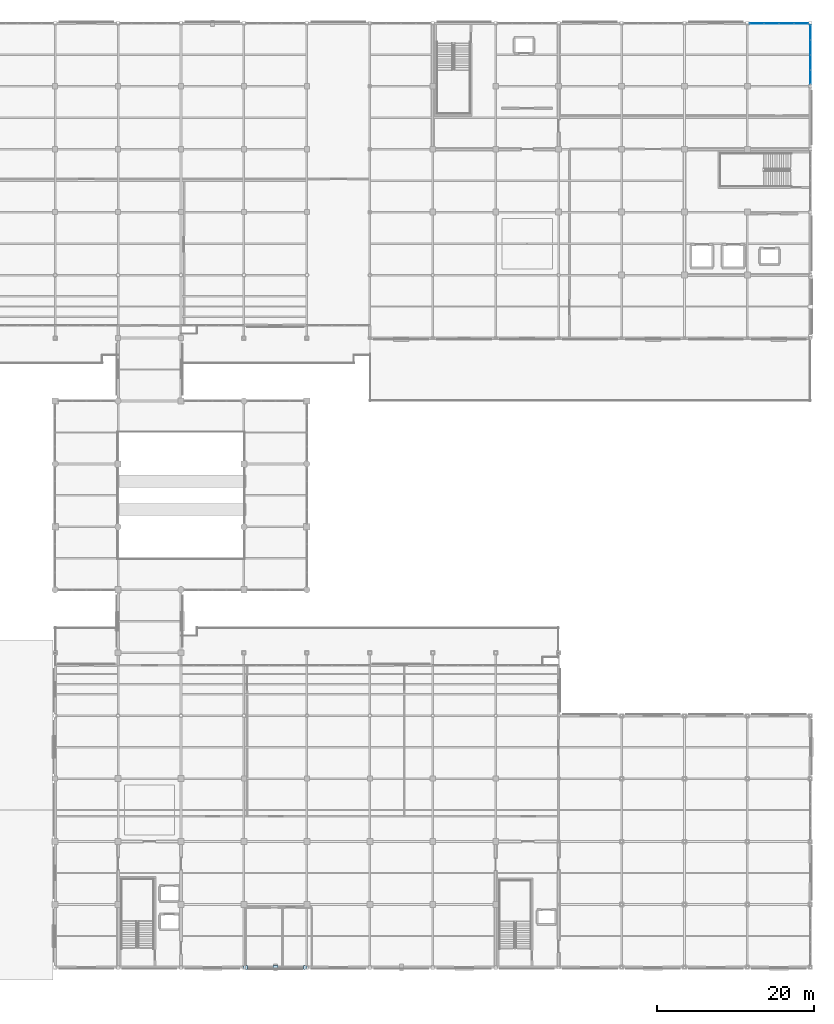
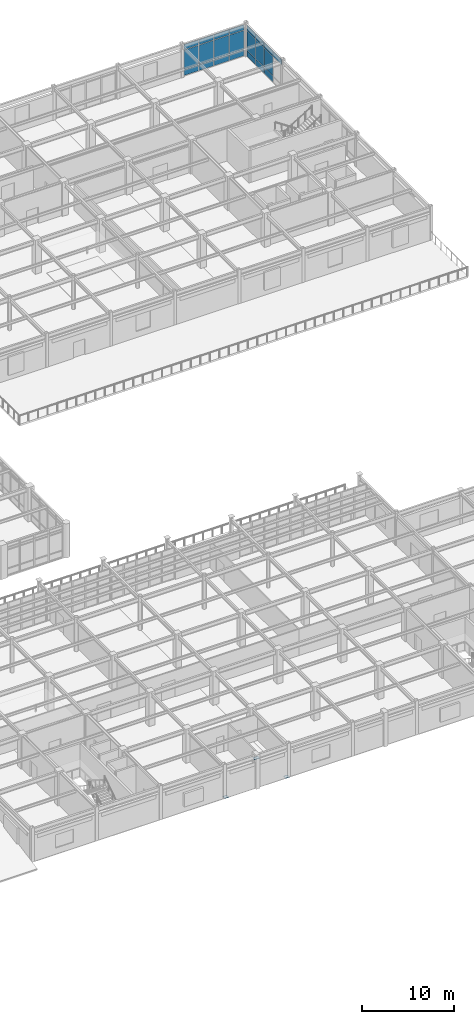
# One storey, part 81 of 111: 25 plates, 2 elements without a shape of their own.
"""IFC4 building model written with IfcOpenShell, lengths in metres."""

from ifc_helpers import new_model, si_unit, direction, frame, origin, origin_2d, place, context, subcontext, project, spatial, rectangle, extrude, material, layer, layer_set, type_object, element, aggregate, save


model = new_model("IFC4")

# Units and contexts
model_context = context("Model", 3, precision=1e-05, world=origin(), true_north=direction((0.0, 1.0)))
body_context = subcontext(model_context, "Body", "Model", "MODEL_VIEW")
ifc_project = project(units=[si_unit("LENGTHUNIT", "METRE"), si_unit("AREAUNIT", "SQUARE_METRE"), si_unit("VOLUMEUNIT", "CUBIC_METRE"), si_unit("PLANEANGLEUNIT", "RADIAN"), si_unit("MASSUNIT", "GRAM", prefix="KILO")], contexts=[model_context])

# Site, building, storey
site_placement = place(None, origin())
site = spatial("IfcSite", under=ifc_project, at=site_placement, CompositionType="ELEMENT")
building_placement = place(site_placement, origin())
building = spatial("IfcBuilding", under=site, at=building_placement, Name="Solmirada Galleria", CompositionType="ELEMENT")
storey_placement = place(building_placement, frame((0.0, 0.0, 10.39990234375)))
storey = spatial("IfcBuildingStorey", under=building, at=storey_placement, Name="L02", CompositionType="ELEMENT", Elevation=10.39990234375)

# Curtain wall, plates
ifc_material_1 = material(Name="Impact-resistant low-E double glazing", Category="glass")
curtain_wall_type = type_object("IfcCurtainWallType", Name="CW-FZ2-L02-B4-L076", PredefinedType="NOTDEFINED", material=ifc_material_1)
curtain_wall_1_placement = place(storey_placement, origin())
curtain_wall_1 = element("IfcCurtainWall", 1, at=curtain_wall_1_placement, inside=storey, type_object=curtain_wall_type, Name="Terrace and arcade storefront CW-L02-099", PredefinedType="NOTDEFINED")
ifc_layer_1 = layer(ifc_material_1, 0.0419921875)
ifc_layer_set_1 = layer_set([ifc_layer_1], Name="Impact-resistant low-E double glazing")
plate_type_1 = type_object("IfcPlateType", Name="CW-PNL-CW24-T42", PredefinedType="CURTAIN_PANEL", material=ifc_layer_set_1)
plate_1_placement = place(storey_placement, frame((169.169921875, 120.0, 0.06494140625), z_axis=(0.0, 0.0, 1.0), x_axis=(1.0, 0.0, 0.0)))
plate_1 = element("IfcPlate", 2, at=plate_1_placement, type_object=plate_type_1, Name="CW24 panel 1.1", PredefinedType="CURTAIN_PANEL", context=body_context, shape_type="SweptSolid", body=[
    extrude(rectangle(XDim=1.800048828125, YDim=0.0419921875, at=origin_2d()), origin(), (0.0, 0.0, 1.0), 0.762451171875),
])
plate_2_placement = place(storey_placement, frame((169.169921875, 120.0, 0.892578125), z_axis=(0.0, 0.0, 1.0), x_axis=(1.0, 0.0, 0.0)))
plate_2 = element("IfcPlate", 3, at=plate_2_placement, type_object=plate_type_1, Name="CW24 panel 1.2", PredefinedType="CURTAIN_PANEL", context=body_context, shape_type="SweptSolid", body=[
    extrude(rectangle(XDim=1.800048828125, YDim=0.0419921875, at=origin_2d()), origin(), (0.0, 0.0, 1.0), 2.52490234375),
])
plate_3_placement = place(storey_placement, frame((169.169921875, 120.0, 3.482421875), z_axis=(0.0, 0.0, 1.0), x_axis=(1.0, 0.0, 0.0)))
plate_3 = element("IfcPlate", 4, at=plate_3_placement, type_object=plate_type_1, Name="CW24 panel 1.3", PredefinedType="CURTAIN_PANEL", context=body_context, shape_type="SweptSolid", body=[
    extrude(rectangle(XDim=1.800048828125, YDim=0.0419921875, at=origin_2d()), origin(), (0.0, 0.0, 1.0), 0.672607421875),
])
plate_4_placement = place(storey_placement, frame((171.05126953125, 120.0, 0.06494140625), z_axis=(0.0, 0.0, 1.0), x_axis=(1.0, 0.0, 0.0)))
plate_4 = element("IfcPlate", 5, at=plate_4_placement, type_object=plate_type_1, Name="CW24 panel 2.1", PredefinedType="CURTAIN_PANEL", context=body_context, shape_type="SweptSolid", body=[
    extrude(rectangle(XDim=1.83251953125, YDim=0.0419921875, at=origin_2d()), origin(), (0.0, 0.0, 1.0), 0.762451171875),
])
plate_5_placement = place(storey_placement, frame((171.05126953125, 120.0, 0.892578125), z_axis=(0.0, 0.0, 1.0), x_axis=(1.0, 0.0, 0.0)))
plate_5 = element("IfcPlate", 6, at=plate_5_placement, type_object=plate_type_1, Name="CW24 panel 2.2", PredefinedType="CURTAIN_PANEL", context=body_context, shape_type="SweptSolid", body=[
    extrude(rectangle(XDim=1.83251953125, YDim=0.0419921875, at=origin_2d()), origin(), (0.0, 0.0, 1.0), 2.52490234375),
])
plate_6_placement = place(storey_placement, frame((171.05126953125, 120.0, 3.482421875), z_axis=(0.0, 0.0, 1.0), x_axis=(1.0, 0.0, 0.0)))
plate_6 = element("IfcPlate", 7, at=plate_6_placement, type_object=plate_type_1, Name="CW24 panel 2.3", PredefinedType="CURTAIN_PANEL", context=body_context, shape_type="SweptSolid", body=[
    extrude(rectangle(XDim=1.83251953125, YDim=0.0419921875, at=origin_2d()), origin(), (0.0, 0.0, 1.0), 0.672607421875),
])
plate_7_placement = place(storey_placement, frame((172.94873046875, 120.0, 0.06494140625), z_axis=(0.0, 0.0, 1.0), x_axis=(1.0, 0.0, 0.0)))
plate_7 = element("IfcPlate", 8, at=plate_7_placement, type_object=plate_type_1, Name="CW24 panel 3.1", PredefinedType="CURTAIN_PANEL", context=body_context, shape_type="SweptSolid", body=[
    extrude(rectangle(XDim=1.83251953125, YDim=0.0419921875, at=origin_2d()), origin(), (0.0, 0.0, 1.0), 0.762451171875),
])
plate_8_placement = place(storey_placement, frame((172.94873046875, 120.0, 0.892578125), z_axis=(0.0, 0.0, 1.0), x_axis=(1.0, 0.0, 0.0)))
plate_8 = element("IfcPlate", 9, at=plate_8_placement, type_object=plate_type_1, Name="CW24 panel 3.2", PredefinedType="CURTAIN_PANEL", context=body_context, shape_type="SweptSolid", body=[
    extrude(rectangle(XDim=1.83251953125, YDim=0.0419921875, at=origin_2d()), origin(), (0.0, 0.0, 1.0), 2.52490234375),
])
plate_9_placement = place(storey_placement, frame((172.94873046875, 120.0, 3.482421875), z_axis=(0.0, 0.0, 1.0), x_axis=(1.0, 0.0, 0.0)))
plate_9 = element("IfcPlate", 10, at=plate_9_placement, type_object=plate_type_1, Name="CW24 panel 3.3", PredefinedType="CURTAIN_PANEL", context=body_context, shape_type="SweptSolid", body=[
    extrude(rectangle(XDim=1.83251953125, YDim=0.0419921875, at=origin_2d()), origin(), (0.0, 0.0, 1.0), 0.672607421875),
])
plate_10_placement = place(storey_placement, frame((174.830078125, 120.0, 0.06494140625), z_axis=(0.0, 0.0, 1.0), x_axis=(1.0, 0.0, 0.0)))
plate_10 = element("IfcPlate", 11, at=plate_10_placement, type_object=plate_type_1, Name="CW24 panel 4.1", PredefinedType="CURTAIN_PANEL", context=body_context, shape_type="SweptSolid", body=[
    extrude(rectangle(XDim=1.800048828125, YDim=0.0419921875, at=origin_2d()), origin(), (0.0, 0.0, 1.0), 0.762451171875),
])
plate_11_placement = place(storey_placement, frame((174.830078125, 120.0, 0.892578125), z_axis=(0.0, 0.0, 1.0), x_axis=(1.0, 0.0, 0.0)))
plate_11 = element("IfcPlate", 12, at=plate_11_placement, type_object=plate_type_1, Name="CW24 panel 4.2", PredefinedType="CURTAIN_PANEL", context=body_context, shape_type="SweptSolid", body=[
    extrude(rectangle(XDim=1.800048828125, YDim=0.0419921875, at=origin_2d()), origin(), (0.0, 0.0, 1.0), 2.52490234375),
])
plate_12_placement = place(storey_placement, frame((174.830078125, 120.0, 3.482421875), z_axis=(0.0, 0.0, 1.0), x_axis=(1.0, 0.0, 0.0)))
plate_12 = element("IfcPlate", 13, at=plate_12_placement, type_object=plate_type_1, Name="CW24 panel 4.3", PredefinedType="CURTAIN_PANEL", context=body_context, shape_type="SweptSolid", body=[
    extrude(rectangle(XDim=1.800048828125, YDim=0.0419921875, at=origin_2d()), origin(), (0.0, 0.0, 1.0), 0.672607421875),
])
aggregate(curtain_wall_1, [plate_1, plate_2, plate_3, plate_4, plate_5, plate_6, plate_7, plate_8, plate_9, plate_10, plate_11, plate_12])

curtain_wall_2_placement = place(storey_placement, origin())
curtain_wall_2 = element("IfcCurtainWall", 14, at=curtain_wall_2_placement, inside=storey, type_object=curtain_wall_type, Name="Terrace and arcade storefront CW-L02-100", PredefinedType="NOTDEFINED")
plate_13_placement = place(storey_placement, frame((176.0, 118.830078125, 0.06494140625), z_axis=(0.0, 0.0, 1.0), x_axis=(0.0, -1.0, 0.0)))
plate_13 = element("IfcPlate", 15, at=plate_13_placement, type_object=plate_type_1, Name="CW24 panel 1.1", PredefinedType="CURTAIN_PANEL", context=body_context, shape_type="SweptSolid", body=[
    extrude(rectangle(XDim=1.800048828125, YDim=0.0419921875, at=origin_2d()), origin(), (0.0, 0.0, 1.0), 0.762451171875),
])
plate_14_placement = place(storey_placement, frame((176.0, 118.830078125, 0.892578125), z_axis=(0.0, 0.0, 1.0), x_axis=(0.0, -1.0, 0.0)))
plate_14 = element("IfcPlate", 16, at=plate_14_placement, type_object=plate_type_1, Name="CW24 panel 1.2", PredefinedType="CURTAIN_PANEL", context=body_context, shape_type="SweptSolid", body=[
    extrude(rectangle(XDim=1.800048828125, YDim=0.0419921875, at=origin_2d()), origin(), (0.0, 0.0, 1.0), 2.52490234375),
])
plate_15_placement = place(storey_placement, frame((176.0, 118.830078125, 3.482421875), z_axis=(0.0, 0.0, 1.0), x_axis=(0.0, -1.0, 0.0)))
plate_15 = element("IfcPlate", 17, at=plate_15_placement, type_object=plate_type_1, Name="CW24 panel 1.3", PredefinedType="CURTAIN_PANEL", context=body_context, shape_type="SweptSolid", body=[
    extrude(rectangle(XDim=1.800048828125, YDim=0.0419921875, at=origin_2d()), origin(), (0.0, 0.0, 1.0), 0.672607421875),
])
plate_16_placement = place(storey_placement, frame((176.0, 116.94873046875, 0.06494140625), z_axis=(0.0, 0.0, 1.0), x_axis=(0.0, -1.0, 0.0)))
plate_16 = element("IfcPlate", 18, at=plate_16_placement, type_object=plate_type_1, Name="CW24 panel 2.1", PredefinedType="CURTAIN_PANEL", context=body_context, shape_type="SweptSolid", body=[
    extrude(rectangle(XDim=1.83251953125, YDim=0.0419921875, at=origin_2d()), origin(), (0.0, 0.0, 1.0), 0.762451171875),
])
plate_17_placement = place(storey_placement, frame((176.0, 116.94873046875, 0.892578125), z_axis=(0.0, 0.0, 1.0), x_axis=(0.0, -1.0, 0.0)))
plate_17 = element("IfcPlate", 19, at=plate_17_placement, type_object=plate_type_1, Name="CW24 panel 2.2", PredefinedType="CURTAIN_PANEL", context=body_context, shape_type="SweptSolid", body=[
    extrude(rectangle(XDim=1.83251953125, YDim=0.0419921875, at=origin_2d()), origin(), (0.0, 0.0, 1.0), 2.52490234375),
])
plate_18_placement = place(storey_placement, frame((176.0, 116.94873046875, 3.482421875), z_axis=(0.0, 0.0, 1.0), x_axis=(0.0, -1.0, 0.0)))
plate_18 = element("IfcPlate", 20, at=plate_18_placement, type_object=plate_type_1, Name="CW24 panel 2.3", PredefinedType="CURTAIN_PANEL", context=body_context, shape_type="SweptSolid", body=[
    extrude(rectangle(XDim=1.83251953125, YDim=0.0419921875, at=origin_2d()), origin(), (0.0, 0.0, 1.0), 0.672607421875),
])
plate_19_placement = place(storey_placement, frame((176.0, 115.05126953125, 0.06494140625), z_axis=(0.0, 0.0, 1.0), x_axis=(0.0, -1.0, 0.0)))
plate_19 = element("IfcPlate", 21, at=plate_19_placement, type_object=plate_type_1, Name="CW24 panel 3.1", PredefinedType="CURTAIN_PANEL", context=body_context, shape_type="SweptSolid", body=[
    extrude(rectangle(XDim=1.83251953125, YDim=0.0419921875, at=origin_2d()), origin(), (0.0, 0.0, 1.0), 0.762451171875),
])
plate_20_placement = place(storey_placement, frame((176.0, 115.05126953125, 0.892578125), z_axis=(0.0, 0.0, 1.0), x_axis=(0.0, -1.0, 0.0)))
plate_20 = element("IfcPlate", 22, at=plate_20_placement, type_object=plate_type_1, Name="CW24 panel 3.2", PredefinedType="CURTAIN_PANEL", context=body_context, shape_type="SweptSolid", body=[
    extrude(rectangle(XDim=1.83251953125, YDim=0.0419921875, at=origin_2d()), origin(), (0.0, 0.0, 1.0), 2.52490234375),
])
plate_21_placement = place(storey_placement, frame((176.0, 115.05126953125, 3.482421875), z_axis=(0.0, 0.0, 1.0), x_axis=(0.0, -1.0, 0.0)))
plate_21 = element("IfcPlate", 23, at=plate_21_placement, type_object=plate_type_1, Name="CW24 panel 3.3", PredefinedType="CURTAIN_PANEL", context=body_context, shape_type="SweptSolid", body=[
    extrude(rectangle(XDim=1.83251953125, YDim=0.0419921875, at=origin_2d()), origin(), (0.0, 0.0, 1.0), 0.672607421875),
])
plate_22_placement = place(storey_placement, frame((176.0, 113.169921875, 3.482421875), z_axis=(0.0, 0.0, 1.0), x_axis=(0.0, -1.0, 0.0)))
plate_22 = element("IfcPlate", 24, at=plate_22_placement, type_object=plate_type_1, Name="CW24 panel 4.3", PredefinedType="CURTAIN_PANEL", context=body_context, shape_type="SweptSolid", body=[
    extrude(rectangle(XDim=1.800048828125, YDim=0.0419921875, at=origin_2d()), origin(), (0.0, 0.0, 1.0), 0.672607421875),
])
aggregate(curtain_wall_2, [plate_13, plate_14, plate_15, plate_16, plate_17, plate_18, plate_19, plate_20, plate_21, plate_22])

# Plates
ifc_material_2 = material(Name="Steel S355 / ASTM A572 Grade 50", Category="steel")
ifc_layer_2 = layer(ifc_material_2, 0.028076171875)
ifc_layer_set_2 = layer_set([ifc_layer_2], Name="Steel S355 / ASTM A572 Grade 50")
plate_type_2 = type_object("IfcPlateType", Name="PLT-NODE-02", PredefinedType="SHEET", material=ifc_layer_set_2)
for number, where, z_axis, x_axis, name in (
    (25, (104.202880859375, 0.0, 0.005859375), (0.0, 0.0, 1.0), (1.0, 0.0, 0.0), "Braced frame gusset plate CBF-S1 L02 LA"),
    (26, (111.797119140625, 0.0, 0.005859375), (0.0, 0.0, 1.0), (1.0, 0.0, 0.0), "Braced frame gusset plate CBF-S1 L02 RA"),
):
    element("IfcPlate", number, at=place(storey_placement, frame(where, z_axis=z_axis, x_axis=x_axis)), inside=storey, type_object=plate_type_2, Name=name, PredefinedType="SHEET", context=body_context, shape_type="SweptSolid", body=[
        extrude(rectangle(XDim=0.47998046875, YDim=0.47998046875, at=origin_2d()), origin(), (0.0, 0.0, 1.0), 0.028076171875),
    ])
ifc_layer_3 = layer(ifc_material_2, 0.035888671875)
ifc_layer_set_3 = layer_set([ifc_layer_3], Name="Steel S355 / ASTM A572 Grade 50")
plate_type_3 = type_object("IfcPlateType", Name="PLT-NODE-04", PredefinedType="SHEET", material=ifc_layer_set_3)
plate_23_placement = place(storey_placement, frame((108.0, 0.0, 3.80224609375), z_axis=(0.0, 0.0, 1.0), x_axis=(1.0, 0.0, 0.0)))
element("IfcPlate", 27, at=plate_23_placement, inside=storey, type_object=plate_type_3, Name="Braced frame gusset plate CBF-S1 L02 AP", PredefinedType="SHEET", context=body_context, shape_type="SweptSolid", body=[
    extrude(rectangle(XDim=0.64990234375, YDim=0.449951171875, at=origin_2d()), origin(), (0.0, 0.0, 1.0), 0.035888671875),
])

save(model, "model.ifc")
